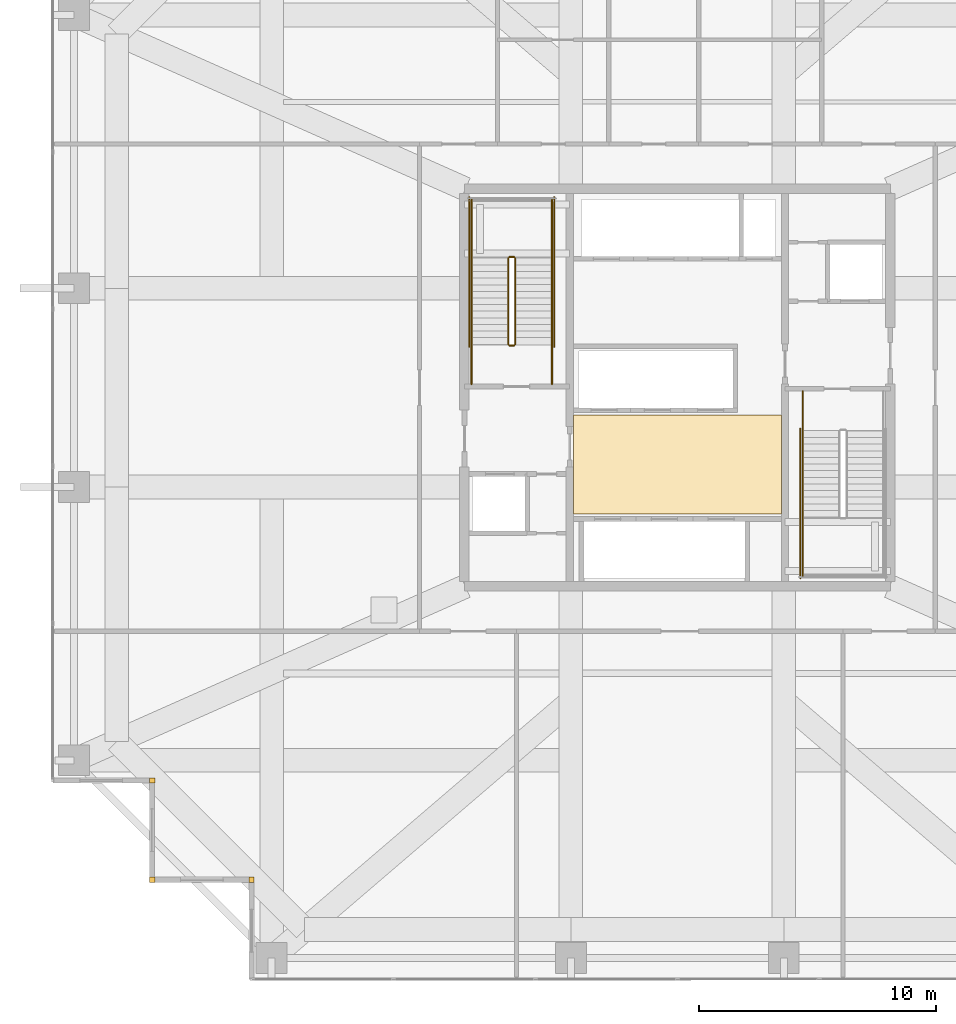
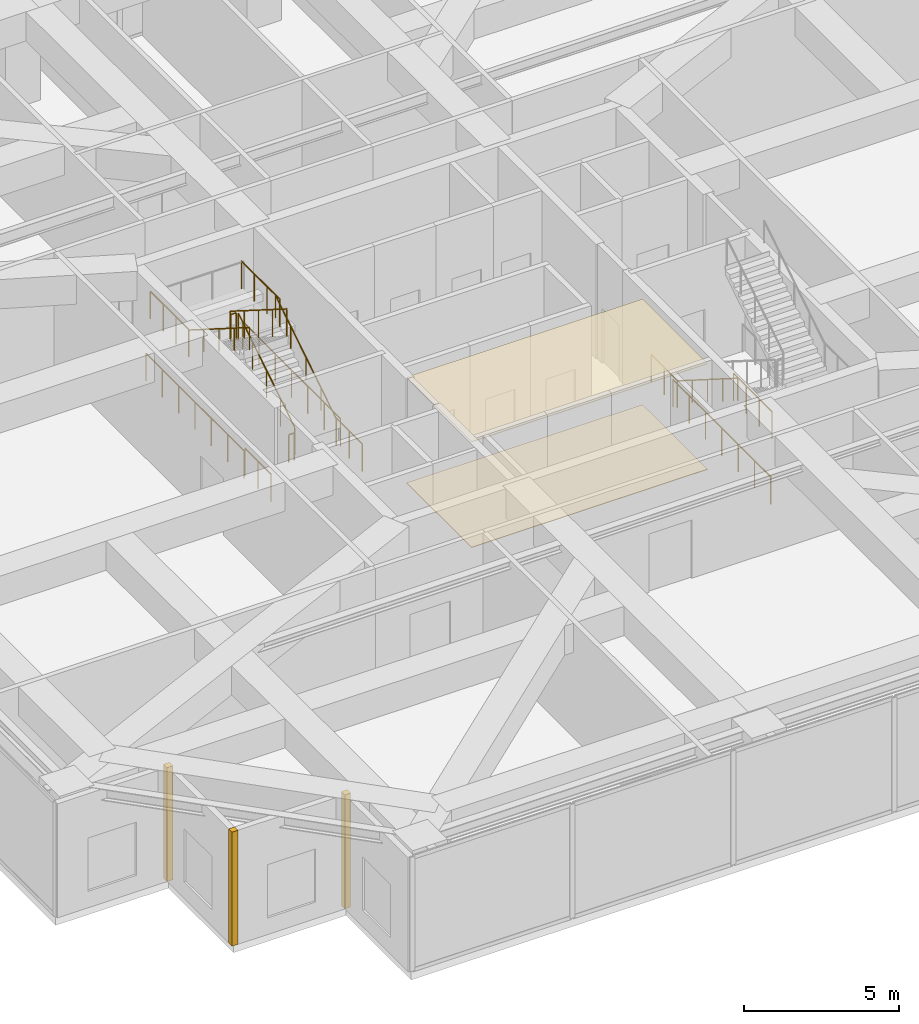
# One storey, part 33 of 35: 16 railings, 5 coverings.
"""IFC4 building model written with IfcOpenShell, lengths in metres."""

from ifc_helpers import new_model, si_unit, direction, frame, origin, origin_2d, place, context, subcontext, project, spatial, polyline, rectangle, circle, outline, extrude, source, transform, mapped, material, layer, layer_set, type_object, element, save


model = new_model("IFC4")

# Units and contexts
model_context = context("Model", 3, precision=1e-05, world=origin(), true_north=direction((0.0, 1.0)))
body_context = subcontext(model_context, "Body", "Model", "MODEL_VIEW")
ifc_project = project(units=[si_unit("LENGTHUNIT", "METRE"), si_unit("AREAUNIT", "SQUARE_METRE"), si_unit("VOLUMEUNIT", "CUBIC_METRE"), si_unit("PLANEANGLEUNIT", "RADIAN"), si_unit("MASSUNIT", "GRAM", prefix="KILO")], contexts=[model_context])

# Site, building, storey
site_placement = place(None, origin())
site = spatial("IfcSite", under=ifc_project, at=site_placement, CompositionType="ELEMENT")
building_placement = place(site_placement, origin())
building = spatial("IfcBuilding", under=site, at=building_placement, Name="Serunith Strait Residences", CompositionType="ELEMENT")
storey_placement = place(building_placement, frame((0.0, 0.0, 115.199951171875)))
storey = spatial("IfcBuildingStorey", under=building, at=storey_placement, Name="L28", CompositionType="ELEMENT", Elevation=115.199951171875)

# Coverings
ifc_material_1 = material(Name="Perforated acoustic gypsum ceiling tile")
ifc_layer_1 = layer(ifc_material_1, 0.02490234375, Name="Perforated acoustic gypsum ceiling tile")
ifc_layer_set_1 = layer_set([ifc_layer_1], Name="Perforated acoustic gypsum ceiling tile")
covering_type_1 = type_object("IfcCoveringType", Name="COV-CEIL-AC60", PredefinedType="CEILING", material=ifc_layer_set_1)
covering_1_placement = place(storey_placement, frame((0.0, 0.0, 4.16015625)))
element("IfcCovering", 1, at=covering_1_placement, inside=storey, type_object=covering_type_1, Name="L28 Lift Lobby Acoustic Ceiling", PredefinedType="CEILING", context=body_context, shape_type="SweptSolid", body=[
    extrude(outline(polyline([(28.0, 19.85009765625), (36.800048828125, 19.85009765625), (36.800048828125, 24.050048828125), (28.0, 24.050048828125), (28.0, 19.85009765625)])), origin(), (0.0, 0.0, 1.0), 0.02490234375),
])
ifc_material_2 = material(Name="Honed limestone terrazzo flooring", Category="masonry")
ifc_layer_2 = layer(ifc_material_2, 0.02001953125, Name="Honed limestone terrazzo flooring")
ifc_layer_set_2 = layer_set([ifc_layer_2], Name="Honed limestone terrazzo flooring")
covering_type_2 = type_object("IfcCoveringType", Name="COV-FLOOR-TER40", PredefinedType="FLOORING", material=ifc_layer_set_2)
covering_2_placement = place(storey_placement, origin())
element("IfcCovering", 2, at=covering_2_placement, inside=storey, type_object=covering_type_2, Name="L28 Lift Lobby Terrazzo Flooring", PredefinedType="FLOORING", context=body_context, shape_type="SweptSolid", body=[
    extrude(outline(polyline([(28.0, 19.85009765625), (36.800048828125, 19.85009765625), (36.800048828125, 24.050048828125), (28.0, 24.050048828125), (28.0, 19.85009765625)])), origin(), (0.0, 0.0, 1.0), 0.02001953125),
])

# Railings
ifc_material_3 = material(Name="Brushed stainless steel 316L", Category="steel")
railing_type_1 = type_object("IfcRailingType", Name="RLG-STAIR-GUARD", PredefinedType="BALUSTRADE", material=ifc_material_3)
railing_1_placement = place(storey_placement, frame((25.550048828125, 27.030029296875, 0.1767578125)))
element("IfcRailing", 3, at=railing_1_placement, inside=storey, type_object=railing_type_1, Name="L28 ST-1 stair guard 1", PredefinedType="BALUSTRADE", context=body_context, shape_type="SweptSolid", body=[
    extrude(circle(Radius=0.02392578125, at=origin_2d()), frame((0.0, 0.001708984375, 1.0771484375), z_axis=(0.0, 0.84554549974, 0.533903369411), x_axis=(-1.0, 0.0, 0.0)), (0.0, 0.0, 1.0), 4.30078125),
    extrude(circle(Radius=0.02099609375, at=origin_2d()), origin(), (0.0, 0.0, 1.0), 1.050048828125),
    extrude(circle(Radius=0.02099609375, at=origin_2d()), frame((0.0, 0.909912109375, 0.57470703125)), (0.0, 0.0, 1.0), 1.050048828125),
    extrude(circle(Radius=0.02099609375, at=origin_2d()), frame((0.0, 1.81982421875, 1.149169921875)), (0.0, 0.0, 1.0), 1.050048828125),
    extrude(circle(Radius=0.02099609375, at=origin_2d()), frame((0.0, 2.72998046875, 1.7236328125)), (0.0, 0.0, 1.0), 1.050048828125),
    extrude(circle(Radius=0.02099609375, at=origin_2d()), frame((0.0, 3.639892578125, 2.29833984375)), (0.0, 0.0, 1.0), 1.050048828125),
])
railing_2_placement = place(storey_placement, frame((25.5, 30.719970703125, 2.47509765625)))
element("IfcRailing", 4, at=railing_2_placement, inside=storey, type_object=railing_type_1, Name="L28 ST-1 stair guard 2", PredefinedType="BALUSTRADE", context=body_context, shape_type="SweptSolid", body=[
    extrude(circle(Radius=0.02392578125, at=origin_2d()), frame((-0.001953125, 0.0, 1.076171875), z_axis=(-1.0, 0.0, 0.0), x_axis=(0.0, -1.0, 0.0)), (0.0, 0.0, 1.0), 0.196044921875),
    extrude(circle(Radius=0.02099609375, at=origin_2d()), origin(), (0.0, 0.0, 1.0), 1.050048828125),
    extrude(circle(Radius=0.02099609375, at=origin_2d()), frame((-0.199951171875, 0.0, 0.0)), (0.0, 0.0, 1.0), 1.050048828125),
])
for number, where, name in (
    (5, (27.10009765625, 30.669921875, 2.47509765625), "L28 ST-1 stair guard 3"),
    (6, (23.699951171875, 30.669921875, 2.47509765625), "L28 ST-1 stair guard 4"),
):
    element("IfcRailing", number, at=place(storey_placement, frame(where)), inside=storey, type_object=railing_type_1, Name=name, PredefinedType="BALUSTRADE", context=body_context, shape_type="SweptSolid", body=[
        extrude(circle(Radius=0.02392578125, at=origin_2d()), frame((0.0, 0.001953125, 1.076171875), z_axis=(0.0, 1.0, 0.0), x_axis=(-1.0, 0.0, 0.0)), (0.0, 0.0, 1.0), 2.47607421875),
        extrude(circle(Radius=0.02099609375, at=origin_2d()), origin(), (0.0, 0.0, 1.0), 1.050048828125),
        extrude(circle(Radius=0.02099609375, at=origin_2d()), frame((0.0, 0.82666015625, 0.0)), (0.0, 0.0, 1.0), 1.050048828125),
        extrude(circle(Radius=0.02099609375, at=origin_2d()), frame((0.0, 1.6533203125, 0.0)), (0.0, 0.0, 1.0), 1.050048828125),
        extrude(circle(Radius=0.02099609375, at=origin_2d()), frame((0.0, 2.47998046875, 0.0)), (0.0, 0.0, 1.0), 1.050048828125),
    ])
railing_3_placement = place(storey_placement, frame((25.25, 30.669921875, 2.65185546875)))
element("IfcRailing", 7, at=railing_3_placement, inside=storey, type_object=railing_type_1, Name="L28 ST-1 stair guard 6", PredefinedType="BALUSTRADE", context=body_context, shape_type="SweptSolid", body=[
    extrude(circle(Radius=0.02392578125, at=origin_2d()), frame((0.0, -0.001708984375, 1.0771484375), z_axis=(0.0, -0.845571102381, 0.533862820224), x_axis=(1.0, 0.0, 0.0)), (0.0, 0.0, 1.0), 4.300537109375),
    extrude(circle(Radius=0.02099609375, at=origin_2d()), origin(), (0.0, 0.0, 1.0), 1.050048828125),
    extrude(circle(Radius=0.02099609375, at=origin_2d()), frame((0.0, -0.909912109375, 0.574462890625)), (0.0, 0.0, 1.0), 1.050048828125),
    extrude(circle(Radius=0.02099609375, at=origin_2d()), frame((0.0, -1.81982421875, 1.14892578125)), (0.0, 0.0, 1.0), 1.050048828125),
    extrude(circle(Radius=0.02099609375, at=origin_2d()), frame((0.0, -2.72998046875, 1.7236328125)), (0.0, 0.0, 1.0), 1.050048828125),
    extrude(circle(Radius=0.02099609375, at=origin_2d()), frame((0.0, -3.639892578125, 2.298095703125)), (0.0, 0.0, 1.0), 1.050048828125),
])
railing_4_placement = place(storey_placement, frame((25.5, 26.97998046875, 0.0)))
element("IfcRailing", 8, at=railing_4_placement, inside=storey, type_object=railing_type_1, Name="L28 ST-1 stair guard 7", PredefinedType="BALUSTRADE", context=body_context, shape_type="SweptSolid", body=[
    extrude(circle(Radius=0.02392578125, at=origin_2d()), frame((-0.001953125, 0.0, 1.076171875), z_axis=(-1.0, 0.0, 0.0), x_axis=(0.0, -1.0, 0.0)), (0.0, 0.0, 1.0), 0.196044921875),
    extrude(circle(Radius=0.02099609375, at=origin_2d()), origin(), (0.0, 0.0, 1.0), 1.050048828125),
    extrude(circle(Radius=0.02099609375, at=origin_2d()), frame((-0.199951171875, 0.0, 0.0)), (0.0, 0.0, 1.0), 1.050048828125),
])
for number, where, name in (
    (9, (27.10009765625, 25.35009765625, 0.0), "L28 ST-1 stair guard 8"),
    (10, (23.699951171875, 25.35009765625, 0.0), "L28 ST-1 stair guard 9"),
):
    element("IfcRailing", number, at=place(storey_placement, frame(where)), inside=storey, type_object=railing_type_1, Name=name, PredefinedType="BALUSTRADE", context=body_context, shape_type="SweptSolid", body=[
        extrude(circle(Radius=0.02392578125, at=origin_2d()), frame((0.0, 0.001953125, 1.076171875), z_axis=(0.0, 1.0, 0.0), x_axis=(-1.0, 0.0, 0.0)), (0.0, 0.0, 1.0), 1.676025390625),
        extrude(circle(Radius=0.02099609375, at=origin_2d()), origin(), (0.0, 0.0, 1.0), 1.050048828125),
        extrude(circle(Radius=0.02099609375, at=origin_2d()), frame((0.0, 0.83984375, 0.0)), (0.0, 0.0, 1.0), 1.050048828125),
        extrude(circle(Radius=0.02099609375, at=origin_2d()), frame((0.0, 1.679931640625, 0.0)), (0.0, 0.0, 1.0), 1.050048828125),
    ])
for number, where, name in (
    (11, (27.199951171875, 26.929931640625, 0.0), "L28 ST-1 stair guard 10"),
    (12, (23.60009765625, 26.929931640625, 0.0), "L28 ST-1 stair guard 11"),
):
    element("IfcRailing", number, at=place(storey_placement, frame(where)), inside=storey, type_object=railing_type_1, Name=name, PredefinedType="BALUSTRADE", context=body_context, shape_type="SweptSolid", body=[
        extrude(circle(Radius=0.02392578125, at=origin_2d()), frame((0.0, 0.001953125, 1.076171875), z_axis=(0.0, 1.0, 0.0), x_axis=(-1.0, 0.0, 0.0)), (0.0, 0.0, 1.0), 6.316162109375),
        extrude(circle(Radius=0.02099609375, at=origin_2d()), origin(), (0.0, 0.0, 1.0), 1.050048828125),
        extrude(circle(Radius=0.02099609375, at=origin_2d()), frame((0.0, 1.05322265625, 0.0)), (0.0, 0.0, 1.0), 1.050048828125),
        extrude(circle(Radius=0.02099609375, at=origin_2d()), frame((0.0, 2.106689453125, 0.0)), (0.0, 0.0, 1.0), 1.050048828125),
        extrude(circle(Radius=0.02099609375, at=origin_2d()), frame((0.0, 3.16015625, 0.0)), (0.0, 0.0, 1.0), 1.050048828125),
        extrude(circle(Radius=0.02099609375, at=origin_2d()), frame((0.0, 4.21337890625, 0.0)), (0.0, 0.0, 1.0), 1.050048828125),
        extrude(circle(Radius=0.02099609375, at=origin_2d()), frame((0.0, 5.2666015625, 0.0)), (0.0, 0.0, 1.0), 1.050048828125),
        extrude(circle(Radius=0.02099609375, at=origin_2d()), frame((0.0, 6.320068359375, 0.0)), (0.0, 0.0, 1.0), 1.050048828125),
    ])
railing_5_placement = place(storey_placement, frame((37.699951171875, 19.72998046875, 2.47509765625)))
element("IfcRailing", 13, at=railing_5_placement, inside=storey, type_object=railing_type_1, Name="L28 ST-2 stair guard 3", PredefinedType="BALUSTRADE", context=body_context, shape_type="SweptSolid", body=[
    extrude(circle(Radius=0.02392578125, at=origin_2d()), frame((0.0, -0.001953125, 1.076171875), z_axis=(0.0, -1.0, 0.0), x_axis=(1.0, 0.0, 0.0)), (0.0, 0.0, 1.0), 2.47607421875),
    extrude(circle(Radius=0.02099609375, at=origin_2d()), origin(), (0.0, 0.0, 1.0), 1.050048828125),
    extrude(circle(Radius=0.02099609375, at=origin_2d()), frame((0.0, -0.82666015625, 0.0)), (0.0, 0.0, 1.0), 1.050048828125),
    extrude(circle(Radius=0.02099609375, at=origin_2d()), frame((0.0, -1.6533203125, 0.0)), (0.0, 0.0, 1.0), 1.050048828125),
    extrude(circle(Radius=0.02099609375, at=origin_2d()), frame((0.0, -2.47998046875, 0.0)), (0.0, 0.0, 1.0), 1.050048828125),
])
railing_6_placement = place(storey_placement, frame((37.699951171875, 25.050048828125, 0.0)))
element("IfcRailing", 14, at=railing_6_placement, inside=storey, type_object=railing_type_1, Name="L28 ST-2 stair guard 8", PredefinedType="BALUSTRADE", context=body_context, shape_type="SweptSolid", body=[
    extrude(circle(Radius=0.02392578125, at=origin_2d()), frame((0.0, -0.001953125, 1.076171875), z_axis=(0.0, -1.0, 0.0), x_axis=(1.0, 0.0, 0.0)), (0.0, 0.0, 1.0), 1.676025390625),
    extrude(circle(Radius=0.02099609375, at=origin_2d()), origin(), (0.0, 0.0, 1.0), 1.050048828125),
    extrude(circle(Radius=0.02099609375, at=origin_2d()), frame((0.0, -0.83984375, 0.0)), (0.0, 0.0, 1.0), 1.050048828125),
    extrude(circle(Radius=0.02099609375, at=origin_2d()), frame((0.0, -1.679931640625, 0.0)), (0.0, 0.0, 1.0), 1.050048828125),
])
railing_7_placement = place(storey_placement, frame((37.60009765625, 23.469970703125, 0.0)))
element("IfcRailing", 15, at=railing_7_placement, inside=storey, type_object=railing_type_1, Name="L28 ST-2 stair guard 10", PredefinedType="BALUSTRADE", context=body_context, shape_type="SweptSolid", body=[
    extrude(circle(Radius=0.02392578125, at=origin_2d()), frame((0.0, -0.001953125, 1.076171875), z_axis=(0.0, -1.0, 0.0), x_axis=(1.0, 0.0, 0.0)), (0.0, 0.0, 1.0), 6.316162109375),
    extrude(circle(Radius=0.02099609375, at=origin_2d()), origin(), (0.0, 0.0, 1.0), 1.050048828125),
    extrude(circle(Radius=0.02099609375, at=origin_2d()), frame((0.0, -1.05322265625, 0.0)), (0.0, 0.0, 1.0), 1.050048828125),
    extrude(circle(Radius=0.02099609375, at=origin_2d()), frame((0.0, -2.106689453125, 0.0)), (0.0, 0.0, 1.0), 1.050048828125),
    extrude(circle(Radius=0.02099609375, at=origin_2d()), frame((0.0, -3.16015625, 0.0)), (0.0, 0.0, 1.0), 1.050048828125),
    extrude(circle(Radius=0.02099609375, at=origin_2d()), frame((0.0, -4.21337890625, 0.0)), (0.0, 0.0, 1.0), 1.050048828125),
    extrude(circle(Radius=0.02099609375, at=origin_2d()), frame((0.0, -5.2666015625, 0.0)), (0.0, 0.0, 1.0), 1.050048828125),
    extrude(circle(Radius=0.02099609375, at=origin_2d()), frame((0.0, -6.320068359375, 0.0)), (0.0, 0.0, 1.0), 1.050048828125),
])
railing_type_2 = type_object("IfcRailingType", Name="RLG-STAIR-HR", PredefinedType="HANDRAIL", material=ifc_material_3)
railing_8_placement = place(storey_placement, frame((27.10009765625, 27.030029296875, 0.1767578125)))
element("IfcRailing", 16, at=railing_8_placement, inside=storey, type_object=railing_type_2, Name="L28 ST-1 stair handrail 1", PredefinedType="HANDRAIL", context=body_context, shape_type="SweptSolid", body=[
    extrude(circle(Radius=0.02392578125, at=origin_2d()), frame((0.0, 0.001708984375, 0.876953125), z_axis=(0.0, 0.845075924159, 0.534646315247), x_axis=(-1.0, 0.0, 0.0)), (0.0, 0.0, 1.0), 4.634521484375),
    extrude(circle(Radius=0.02099609375, at=origin_2d()), origin(), (0.0, 0.0, 1.0), 0.849853515625),
    extrude(circle(Radius=0.02099609375, at=origin_2d()), frame((0.0, 0.97998046875, 0.6201171875)), (0.0, 0.0, 1.0), 0.849853515625),
    extrude(circle(Radius=0.02099609375, at=origin_2d()), frame((0.0, 1.9599609375, 1.239990234375)), (0.0, 0.0, 1.0), 0.849853515625),
    extrude(circle(Radius=0.02099609375, at=origin_2d()), frame((0.0, 2.93994140625, 1.85986328125)), (0.0, 0.0, 1.0), 0.849853515625),
    extrude(circle(Radius=0.02099609375, at=origin_2d()), frame((0.0, 3.919921875, 2.47998046875)), (0.0, 0.0, 1.0), 0.849853515625),
])
railing_9_placement = place(storey_placement, frame((23.699951171875, 30.669921875, 2.65185546875)))
element("IfcRailing", 17, at=railing_9_placement, inside=storey, type_object=railing_type_2, Name="L28 ST-1 stair handrail 2", PredefinedType="HANDRAIL", context=body_context, shape_type="SweptSolid", body=[
    extrude(circle(Radius=0.02392578125, at=origin_2d()), frame((0.0, -0.001708984375, 0.876953125), z_axis=(0.0, -0.845075924159, 0.534646315247), x_axis=(1.0, 0.0, 0.0)), (0.0, 0.0, 1.0), 4.634521484375),
    extrude(circle(Radius=0.02099609375, at=origin_2d()), origin(), (0.0, 0.0, 1.0), 0.849853515625),
    extrude(circle(Radius=0.02099609375, at=origin_2d()), frame((0.0, -0.97998046875, 0.6201171875)), (0.0, 0.0, 1.0), 0.849853515625),
    extrude(circle(Radius=0.02099609375, at=origin_2d()), frame((0.0, -1.9599609375, 1.239990234375)), (0.0, 0.0, 1.0), 0.849853515625),
    extrude(circle(Radius=0.02099609375, at=origin_2d()), frame((0.0, -2.93994140625, 1.85986328125)), (0.0, 0.0, 1.0), 0.849853515625),
    extrude(circle(Radius=0.02099609375, at=origin_2d()), frame((0.0, -3.919921875, 2.47998046875)), (0.0, 0.0, 1.0), 0.849853515625),
])
railing_10_placement = place(storey_placement, frame((37.699951171875, 23.3701171875, 0.1767578125)))
element("IfcRailing", 18, at=railing_10_placement, inside=storey, type_object=railing_type_2, Name="L28 ST-2 stair handrail 1", PredefinedType="HANDRAIL", context=body_context, shape_type="SweptSolid", body=[
    extrude(circle(Radius=0.02392578125, at=origin_2d()), frame((0.0, -0.001708984375, 0.876953125), z_axis=(0.0, -0.845090968132, 0.53462253561), x_axis=(1.0, 0.0, 0.0)), (0.0, 0.0, 1.0), 4.634765625),
    extrude(circle(Radius=0.02099609375, at=origin_2d()), origin(), (0.0, 0.0, 1.0), 0.849853515625),
    extrude(circle(Radius=0.02099609375, at=origin_2d()), frame((0.0, -0.97998046875, 0.6201171875)), (0.0, 0.0, 1.0), 0.849853515625),
    extrude(circle(Radius=0.02099609375, at=origin_2d()), frame((0.0, -1.9599609375, 1.239990234375)), (0.0, 0.0, 1.0), 0.849853515625),
    extrude(circle(Radius=0.02099609375, at=origin_2d()), frame((0.0, -2.940185546875, 1.85986328125)), (0.0, 0.0, 1.0), 0.849853515625),
    extrude(circle(Radius=0.02099609375, at=origin_2d()), frame((0.0, -3.920166015625, 2.47998046875)), (0.0, 0.0, 1.0), 0.849853515625),
])

# Coverings
ifc_material_4 = material(Name="Pale-Champagne Anodised Aluminium", Category="aluminium")
ifc_layer_3 = layer(ifc_material_4, 0.219970703125, Name="Pale-Champagne Anodised Aluminium")
ifc_layer_set_3 = layer_set([ifc_layer_3], Name="Pale-Champagne Anodised Aluminium")
covering_type_3 = type_object("IfcCoveringType", Name="COV-CORN-TRIM", PredefinedType="CLADDING", material=ifc_layer_set_3)
shared_shape = source(origin(), body_context, "Body", "SweptSolid", [
    extrude(rectangle(XDim=0.221923828125, YDim=0.221923828125, at=origin_2d()), origin(), (0.0, 0.0, 1.0), 4.4951171875),
])
for number, where, z_axis, x_axis, name in (
    (19, (10.199951171875, 8.60009765625, 0.0), (0.0, 0.0, 1.0), (1.0, 0.0, 0.0), "L28 Girih Serrated Corner Trim Post 17"),
    (20, (10.199951171875, 4.39990234375, 0.0), (0.0, 0.0, 1.0), (1.0, 0.0, 0.0), "L28 Girih Serrated Corner Trim Post 18"),
    (21, (14.39990234375, 4.39990234375, 0.0), (0.0, 0.0, 1.0), (1.0, 0.0, 0.0), "L28 Girih Serrated Corner Trim Post 19"),
):
    element("IfcCovering", number, at=place(storey_placement, frame(where, z_axis=z_axis, x_axis=x_axis)), inside=storey, type_object=covering_type_3, Name=name, PredefinedType="CLADDING", context=body_context, shape_type="MappedRepresentation", body=[
        mapped(shared_shape, transform((0.0, 0.0, 0.0), scale=1.0)),
    ])

save(model, "model.ifc")
